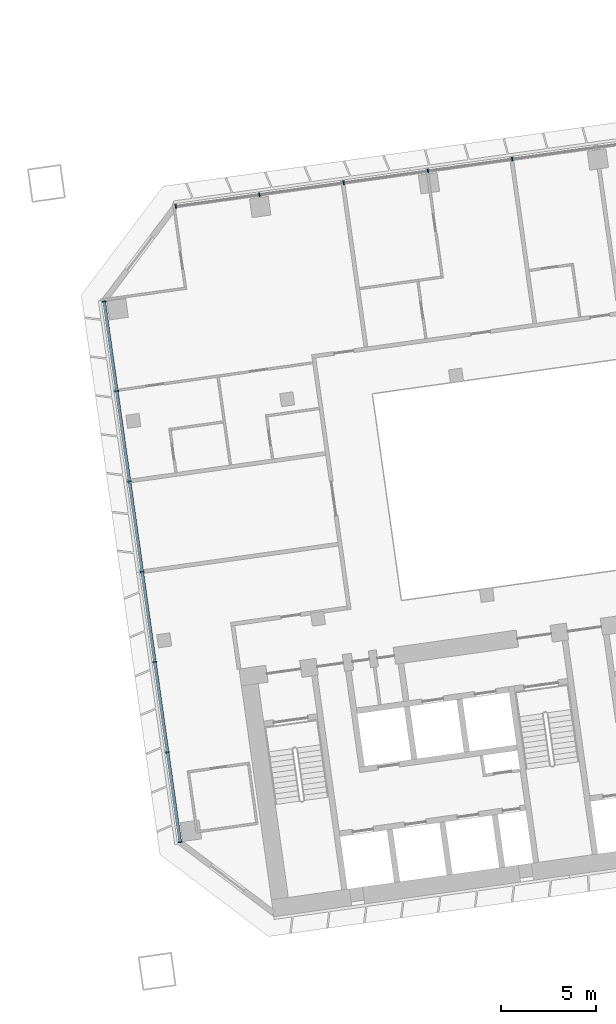
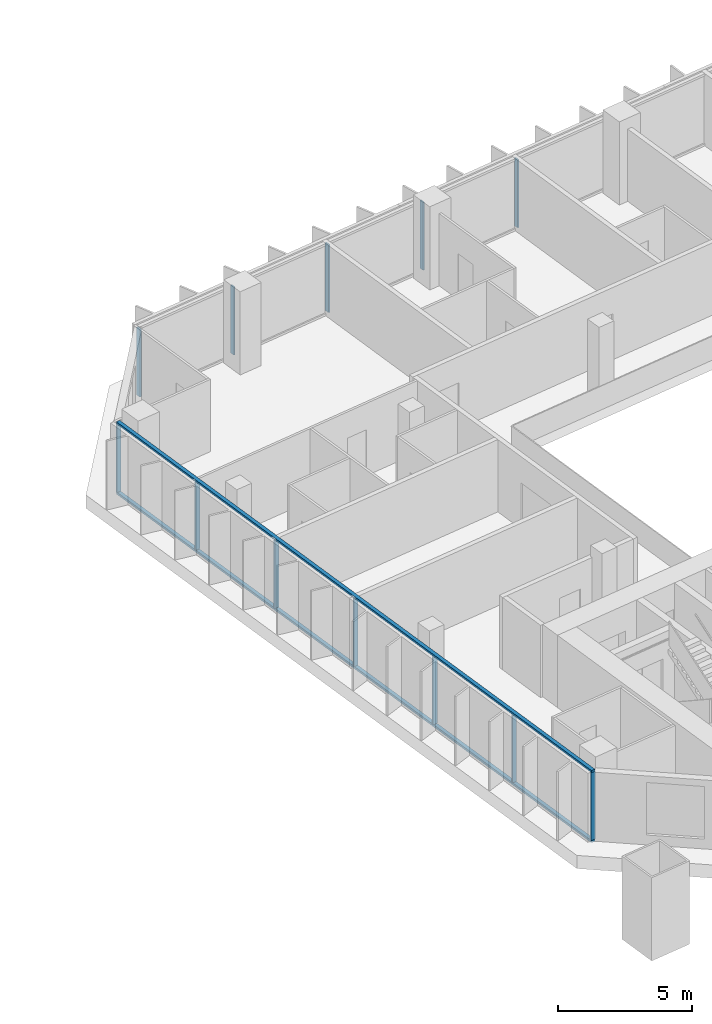
# One storey, part 7 of 24: 14 members, 2 elements without a shape of their own.
"""IFC4 building model written with IfcOpenShell, lengths in metres."""

from ifc_helpers import new_model, si_unit, direction, frame, origin, origin_2d, place, context, subcontext, project, spatial, rectangle, extrude, material, material_profile, profile_set, type_object, element, aggregate, save


model = new_model("IFC4")

# Units and contexts
model_context = context("Model", 3, precision=1e-05, world=origin(), true_north=direction((0.0, 1.0)))
body_context = subcontext(model_context, "Body", "Model", "MODEL_VIEW")
ifc_project = project(units=[si_unit("LENGTHUNIT", "METRE"), si_unit("AREAUNIT", "SQUARE_METRE"), si_unit("VOLUMEUNIT", "CUBIC_METRE"), si_unit("PLANEANGLEUNIT", "RADIAN"), si_unit("MASSUNIT", "GRAM", prefix="KILO")], contexts=[model_context])

# Site, building, storey
site_placement = place(None, origin())
site = spatial("IfcSite", under=ifc_project, at=site_placement, CompositionType="ELEMENT")
building_placement = place(site_placement, origin())
building = spatial("IfcBuilding", under=site, at=building_placement, Name="Mirante Cascada Hotel Towers", CompositionType="ELEMENT")
storey_placement = place(building_placement, frame((0.0, 0.0, 88.9)))
storey = spatial("IfcBuildingStorey", under=building, at=storey_placement, Name="L19", CompositionType="ELEMENT", Elevation=88.9)

# Curtain wall, members
ifc_material_1 = material(Name="Aluminium mullion and transom frame with clear laminated glass", Category="aluminium")
curtain_wall_type_1 = type_object("IfcCurtainWallType", Name="Ribbon curtain wall ECW1", PredefinedType="NOTDEFINED", material=ifc_material_1)
curtain_wall_1_placement = place(storey_placement, origin())
curtain_wall_1 = element("IfcCurtainWall", 1, at=curtain_wall_1_placement, inside=storey, type_object=curtain_wall_type_1, Name="Front ribbon wall T2 L19", PredefinedType="NOTDEFINED")
ifc_material_2 = material(Name="Anodised aluminium extrusion", Category="aluminium")
ifc_material_profile_1 = material_profile(ifc_material_2, rectangle(XDim=0.2, YDim=0.065, at=origin_2d()), Name="ECW1 MULLION 65x200")
ifc_profile_set_1 = profile_set([ifc_material_profile_1], Name="Anodised aluminium extrusion")
member_type_1 = type_object("IfcMemberType", Name="ECW1 mullion 65x200", PredefinedType="MULLION", material=ifc_profile_set_1)
member_1_placement = place(storey_placement, frame((49.684, 19.8017, 0.1), z_axis=(0.0, 0.0, 1.0), x_axis=(0.1391731, -0.9902681, 0.0)))
member_1 = element("IfcMember", 2, at=member_1_placement, type_object=member_type_1, Name="ECW1 mullion 11", PredefinedType="MULLION", context=body_context, shape_type="SweptSolid", body=[
    extrude(rectangle(XDim=0.2, YDim=0.065, at=origin_2d()), origin(), (0.0, 0.0, 1.0), 3.1),
])
member_2_placement = place(storey_placement, frame((45.2366, 19.1766, 0.1), z_axis=(0.0, 0.0, 1.0), x_axis=(0.1391731, -0.9902681, 0.0)))
member_2 = element("IfcMember", 3, at=member_2_placement, type_object=member_type_1, Name="ECW1 mullion 12", PredefinedType="MULLION", context=body_context, shape_type="SweptSolid", body=[
    extrude(rectangle(XDim=0.2, YDim=0.065, at=origin_2d()), origin(), (0.0, 0.0, 1.0), 3.1),
])
member_3_placement = place(storey_placement, frame((40.7892, 18.5516, 0.1), z_axis=(0.0, 0.0, 1.0), x_axis=(0.1391731, -0.9902681, 0.0)))
member_3 = element("IfcMember", 4, at=member_3_placement, type_object=member_type_1, Name="ECW1 mullion 13", PredefinedType="MULLION", context=body_context, shape_type="SweptSolid", body=[
    extrude(rectangle(XDim=0.2, YDim=0.065, at=origin_2d()), origin(), (0.0, 0.0, 1.0), 3.1),
])
member_4_placement = place(storey_placement, frame((36.3417, 17.9265, 0.1), z_axis=(0.0, 0.0, 1.0), x_axis=(0.1391731, -0.9902681, 0.0)))
member_4 = element("IfcMember", 5, at=member_4_placement, type_object=member_type_1, Name="ECW1 mullion 14", PredefinedType="MULLION", context=body_context, shape_type="SweptSolid", body=[
    extrude(rectangle(XDim=0.2, YDim=0.065, at=origin_2d()), origin(), (0.0, 0.0, 1.0), 3.1),
])
member_5_placement = place(storey_placement, frame((31.9265, 17.306, 0.1), z_axis=(0.0, 0.0, 1.0), x_axis=(0.1391731, -0.9902681, 0.0)))
member_5 = element("IfcMember", 6, at=member_5_placement, type_object=member_type_1, Name="ECW1 mullion 15", PredefinedType="MULLION", context=body_context, shape_type="SweptSolid", body=[
    extrude(rectangle(XDim=0.2, YDim=0.065, at=origin_2d()), origin(), (0.0, 0.0, 1.0), 3.1),
])
aggregate(curtain_wall_1, [member_1, member_2, member_3, member_4, member_5])

ifc_material_3 = material(Name="Aluminium mullion and transom frame with clear laminated glass", Category="aluminium")
curtain_wall_type_2 = type_object("IfcCurtainWallType", Name="End ribbon curtain wall ECW2", PredefinedType="NOTDEFINED", material=ifc_material_3)
curtain_wall_2_placement = place(storey_placement, origin())
curtain_wall_2 = element("IfcCurtainWall", 7, at=curtain_wall_2_placement, inside=storey, type_object=curtain_wall_type_2, Name="Inner end wall T2 L19", PredefinedType="NOTDEFINED")
ifc_material_4 = material(Name="Anodised aluminium extrusion", Category="aluminium")
ifc_material_profile_2 = material_profile(ifc_material_4, rectangle(XDim=0.2, YDim=0.065, at=origin_2d()), Name="ECW2 MULLION 65x200")
ifc_profile_set_2 = profile_set([ifc_material_profile_2], Name="Anodised aluminium extrusion")
member_type_2 = type_object("IfcMemberType", Name="ECW2 mullion 65x200", PredefinedType="MULLION", material=ifc_profile_set_2)
member_6_placement = place(storey_placement, frame((28.1437, 12.2861, 0.1), z_axis=(0.0, 0.0, 1.0), x_axis=(0.9902681, 0.1391731, 0.0)))
member_6 = element("IfcMember", 8, at=member_6_placement, type_object=member_type_2, Name="ECW2 mullion 1", PredefinedType="MULLION", context=body_context, shape_type="SweptSolid", body=[
    extrude(rectangle(XDim=0.2, YDim=0.065, at=origin_2d()), origin(), (0.0, 0.0, 1.0), 3.1),
])
member_7_placement = place(storey_placement, frame((28.809, 7.5524, 0.1), z_axis=(0.0, 0.0, 1.0), x_axis=(0.9902681, 0.1391731, 0.0)))
member_7 = element("IfcMember", 9, at=member_7_placement, type_object=member_type_2, Name="ECW2 mullion 2", PredefinedType="MULLION", context=body_context, shape_type="SweptSolid", body=[
    extrude(rectangle(XDim=0.2, YDim=0.065, at=origin_2d()), origin(), (0.0, 0.0, 1.0), 3.1),
])
member_8_placement = place(storey_placement, frame((29.4788, 2.7867, 0.1), z_axis=(0.0, 0.0, 1.0), x_axis=(0.9902681, 0.1391731, 0.0)))
member_8 = element("IfcMember", 10, at=member_8_placement, type_object=member_type_2, Name="ECW2 mullion 3", PredefinedType="MULLION", context=body_context, shape_type="SweptSolid", body=[
    extrude(rectangle(XDim=0.2, YDim=0.065, at=origin_2d()), origin(), (0.0, 0.0, 1.0), 3.1),
])
member_9_placement = place(storey_placement, frame((30.1485, -1.9791, 0.1), z_axis=(0.0, 0.0, 1.0), x_axis=(0.9902681, 0.1391731, 0.0)))
member_9 = element("IfcMember", 11, at=member_9_placement, type_object=member_type_2, Name="ECW2 mullion 4", PredefinedType="MULLION", context=body_context, shape_type="SweptSolid", body=[
    extrude(rectangle(XDim=0.2, YDim=0.065, at=origin_2d()), origin(), (0.0, 0.0, 1.0), 3.1),
])
member_10_placement = place(storey_placement, frame((30.8183, -6.7449, 0.1), z_axis=(0.0, 0.0, 1.0), x_axis=(0.9902681, 0.1391731, 0.0)))
member_10 = element("IfcMember", 12, at=member_10_placement, type_object=member_type_2, Name="ECW2 mullion 5", PredefinedType="MULLION", context=body_context, shape_type="SweptSolid", body=[
    extrude(rectangle(XDim=0.2, YDim=0.065, at=origin_2d()), origin(), (0.0, 0.0, 1.0), 3.1),
])
member_11_placement = place(storey_placement, frame((31.4881, -11.5107, 0.1), z_axis=(0.0, 0.0, 1.0), x_axis=(0.9902681, 0.1391731, 0.0)))
member_11 = element("IfcMember", 13, at=member_11_placement, type_object=member_type_2, Name="ECW2 mullion 6", PredefinedType="MULLION", context=body_context, shape_type="SweptSolid", body=[
    extrude(rectangle(XDim=0.2, YDim=0.065, at=origin_2d()), origin(), (0.0, 0.0, 1.0), 3.1),
])
member_12_placement = place(storey_placement, frame((32.1534, -16.2443, 0.1), z_axis=(0.0, 0.0, 1.0), x_axis=(0.9902681, 0.1391731, 0.0)))
member_12 = element("IfcMember", 14, at=member_12_placement, type_object=member_type_2, Name="ECW2 mullion 7", PredefinedType="MULLION", context=body_context, shape_type="SweptSolid", body=[
    extrude(rectangle(XDim=0.2, YDim=0.065, at=origin_2d()), origin(), (0.0, 0.0, 1.0), 3.1),
])
ifc_material_5 = material(Name="Anodised aluminium extrusion", Category="aluminium")
ifc_material_profile_3 = material_profile(ifc_material_5, rectangle(XDim=0.16, YDim=0.1, at=origin_2d()), Name="ECW2 TRANSOM 100x160")
ifc_profile_set_3 = profile_set([ifc_material_profile_3], Name="Anodised aluminium extrusion")
member_type_3 = type_object("IfcMemberType", Name="ECW2 transom 100x160", PredefinedType="USERDEFINED", material=ifc_profile_set_3)
member_13_placement = place(storey_placement, frame((28.1392, 12.3182, 0.05), z_axis=(0.1391723, -0.9902682, 0.0), x_axis=(0.9902682, 0.1391723, 0.0)))
member_13 = element("IfcMember", 15, at=member_13_placement, type_object=member_type_3, Name="ECW2 sill transom", ObjectType="TRANSOM", PredefinedType="USERDEFINED", context=body_context, shape_type="SweptSolid", body=[
    extrude(rectangle(XDim=0.16, YDim=0.1, at=origin_2d()), origin(), (0.0, 0.0, 1.0), 28.8757),
])
member_14_placement = place(storey_placement, frame((28.1392, 12.3182, 3.25), z_axis=(0.1391723, -0.9902682, 0.0), x_axis=(0.9902682, 0.1391723, 0.0)))
member_14 = element("IfcMember", 16, at=member_14_placement, type_object=member_type_3, Name="ECW2 head transom", ObjectType="TRANSOM", PredefinedType="USERDEFINED", context=body_context, shape_type="SweptSolid", body=[
    extrude(rectangle(XDim=0.16, YDim=0.1, at=origin_2d()), origin(), (0.0, 0.0, 1.0), 28.8757),
])
aggregate(curtain_wall_2, [member_13, member_14, member_6, member_7, member_8, member_9, member_10, member_11, member_12])

save(model, "model.ifc")
